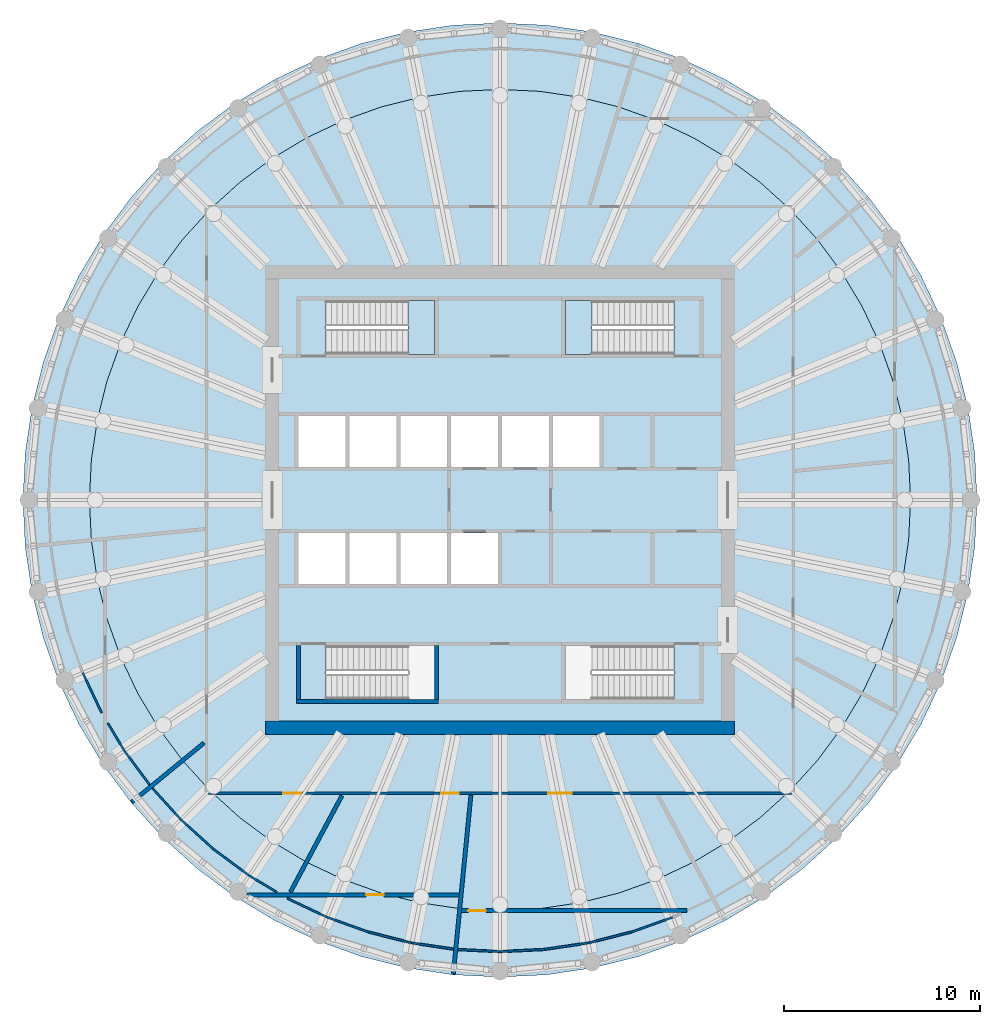
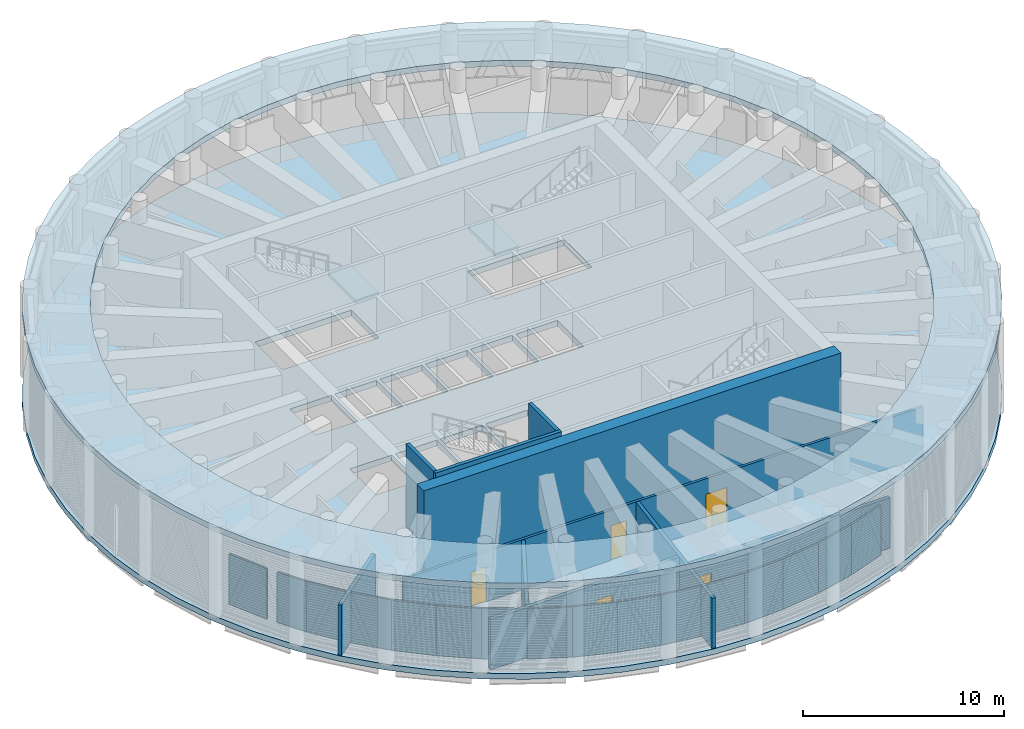
# One storey, part 5 of 19: 26 walls, 5 doors, 4 slabs, 5 openings, 2 elements without a shape of their own.
"""IFC4 building model written with IfcOpenShell, lengths in metres."""

import ifcopenshell
import ifcopenshell.guid

model = None  # the IFC model being written
_history = None  # IfcOwnerHistory: only IFC2X3 demands one
_inside = {}  # id of a spatial element -> (the spatial element, [elements in it])
_under = {}  # id of a project, library or spatial element -> (it, [spatial elements below it])
_declared = {}  # id of a project -> (the project, [libraries it declares])
_typed = {}  # id of a type object -> (the type object, [elements of that type])
_made_of = {}  # id of a material, layer set ... -> (it, [elements and type objects made of it])


def new_model(schema):
    """Start an empty IFC model of exactly this schema.

    Asked for "IFC4X3", IfcOpenShell would pick the latest addendum, in which some entities
    have other attributes; the version numbers below select the first issue.
    IFC2X3 requires an IfcOwnerHistory on every rooted entity: one is made here for all.
    """
    global model, _history
    if schema == "IFC4X3":
        model = ifcopenshell.file(schema_version=(4, 3, 0, 0))
    else:
        model = ifcopenshell.file(schema=schema)
    _inside.clear()
    _under.clear()
    _declared.clear()
    _typed.clear()
    _made_of.clear()
    _history = None
    if model.schema == "IFC2X3":
        org = make("IfcOrganization", Name="unknown")
        user = make(
            "IfcPersonAndOrganization",
            ThePerson=make("IfcPerson", FamilyName="unknown"),
            TheOrganization=org,
        )
        app = make(
            "IfcApplication",
            ApplicationDeveloper=org,
            Version="unknown",
            ApplicationFullName="unknown",
            ApplicationIdentifier="unknown",
        )
        _history = make(
            "IfcOwnerHistory",
            OwningUser=user,
            OwningApplication=app,
            ChangeAction="ADDED",
            CreationDate=0,
        )
    return model


def make(cls, **values):
    """One entity of the class cls with the attributes given. An attribute that is None is left unset."""
    return model.create_entity(
        cls, **{name: value for name, value in values.items() if value is not None}
    )


def rooted(cls, **values):
    """An entity with a GlobalId (a new one), such as an element, a storey or a relation."""
    return make(cls, GlobalId=ifcopenshell.guid.new(), OwnerHistory=_history, **values)


def si_unit(unit_type, name, prefix=None):
    """IfcSIUnit, for example si_unit("LENGTHUNIT", "METRE", prefix="MILLI")."""
    return make("IfcSIUnit", UnitType=unit_type, Prefix=prefix, Name=name)


def assignment(units):
    """IfcUnitAssignment: the units of a project."""
    return None if units is None else make("IfcUnitAssignment", Units=units)


def point(xyz):
    """IfcCartesianPoint."""
    return None if xyz is None else make("IfcCartesianPoint", Coordinates=xyz)


def direction(xyz):
    """IfcDirection."""
    return None if xyz is None else make("IfcDirection", DirectionRatios=xyz)


def frame(location, z_axis=None, x_axis=None):
    """IfcAxis2Placement3D, a coordinate frame: its origin and axes. An axis left out is left unset."""
    return make(
        "IfcAxis2Placement3D",
        Location=point(location),
        Axis=direction(z_axis),
        RefDirection=direction(x_axis),
    )


def frame_2d(location, x_axis=None):
    """IfcAxis2Placement2D, a coordinate frame in the plane: its origin and x axis."""
    return make(
        "IfcAxis2Placement2D", Location=point(location), RefDirection=direction(x_axis)
    )


def origin():
    """The frame at (0, 0, 0) with its axes left unset."""
    return frame((0.0, 0.0, 0.0))


def place(relative_to, where):
    """IfcLocalPlacement: puts the frame where relative to a parent placement (None: the world)."""
    return make(
        "IfcLocalPlacement", PlacementRelTo=relative_to, RelativePlacement=where
    )


def context(
    kind, dimensions, precision=None, world=None, true_north=None, identifier=None
):
    """IfcGeometricRepresentationContext, for example the 3D "Model" context."""
    return make(
        "IfcGeometricRepresentationContext",
        ContextIdentifier=identifier,
        ContextType=kind,
        CoordinateSpaceDimension=dimensions,
        Precision=precision,
        WorldCoordinateSystem=world,
        TrueNorth=true_north,
    )


def subcontext(parent, identifier, kind, view, scale=None):
    """IfcGeometricRepresentationSubContext, for example "Body" below "Model"."""
    return make(
        "IfcGeometricRepresentationSubContext",
        ContextIdentifier=identifier,
        ContextType=kind,
        ParentContext=parent,
        TargetScale=scale,
        TargetView=view,
    )


def project(units=None, contexts=None):
    """IfcProject with its units and contexts."""
    return rooted(
        "IfcProject",
        Name="project",
        RepresentationContexts=contexts,
        UnitsInContext=assignment(units),
    )


def spatial(cls, under=None, at=None, **own):
    """A site, building, storey or space (cls), placed at a placement, below another one or the project."""
    s = rooted(cls, ObjectPlacement=at, **own)
    if under is not None:
        _under.setdefault(under.id(), (under, []))[1].append(s)
    return s


def polyline(points):
    """IfcPolyline through the points."""
    return make("IfcPolyline", Points=[point(p) for p in points])


def profile(cls, at=None, kind="AREA", **sizes):
    """A parametric profile (cls). Its sizes go by their IFC names, for example OverallWidth=200.0."""
    return make(cls, ProfileType=kind, Position=at, **sizes)


def rectangle(**sizes):
    """IfcRectangleProfileDef."""
    return profile("IfcRectangleProfileDef", **sizes)


def outline(outer, holes=None, kind="AREA"):
    """IfcArbitraryClosedProfileDef: a profile drawn as a closed curve; with holes, ...WithVoids."""
    if holes is None:
        return make("IfcArbitraryClosedProfileDef", ProfileType=kind, OuterCurve=outer)
    return make(
        "IfcArbitraryProfileDefWithVoids",
        ProfileType=kind,
        OuterCurve=outer,
        InnerCurves=holes,
    )


def extrude(swept, where, along, depth):
    """IfcExtrudedAreaSolid: the profile swept, set in the frame where, extruded along a direction by depth."""
    return make(
        "IfcExtrudedAreaSolid",
        SweptArea=swept,
        Position=where,
        ExtrudedDirection=direction(along),
        Depth=depth,
    )


def shape(context_of_items, identifier, shape_type, items):
    """IfcShapeRepresentation: the items that make up one representation, for example the "Body"."""
    return make(
        "IfcShapeRepresentation",
        ContextOfItems=context_of_items,
        RepresentationIdentifier=identifier,
        RepresentationType=shape_type,
        Items=items,
    )


def material(Name=None, Category=None):
    """IfcMaterial."""
    return make("IfcMaterial", Name=Name, Category=Category)


def layer(
    of_material, thickness, ventilated=None, Name=None, Category=None, Priority=None
):
    """IfcMaterialLayer: one layer of a wall or slab, of a material (None: an air gap)."""
    return make(
        "IfcMaterialLayer",
        Material=of_material,
        LayerThickness=thickness,
        IsVentilated=ventilated,
        Name=Name,
        Category=Category,
        Priority=Priority,
    )


def layer_set(layers, Name=None):
    """IfcMaterialLayerSet."""
    return make("IfcMaterialLayerSet", MaterialLayers=layers, LayerSetName=Name)


def made_of(thing, what):
    """Note that an element or type object is made of a material, layer set ...; save() writes the relation."""
    if what is not None:
        _made_of.setdefault(what.id(), (what, []))[1].append(thing)
    return thing


def type_object(cls, material=None, **own):
    """A type object (cls), such as IfcWallType, which elements share."""
    return made_of(rooted(cls, **own), material)


def element(
    cls,
    number,
    at=None,
    inside=None,
    cuts=None,
    type_object=None,
    material=None,
    context=None,
    identifier="Body",
    shape_type=None,
    held_by="IfcProductDefinitionShape",
    body=None,
    shapes=None,
    **own,
):
    """One element of the class cls, such as IfcWall. Its Tag is "e" and its number.

    at: its placement. inside: the storey or other place that contains it. cuts: it is an
    opening in that element (IfcRelVoidsElement). A single representation is given by context,
    identifier, shape_type and body (its items); several are given by shapes. held_by: the class
    of the entity that holds the representations. save() writes the other relations.
    """
    e = rooted(cls, Tag="e%d" % number, ObjectPlacement=at, **own)
    if body is not None:
        shapes = [shape(context, identifier, shape_type, body)]
    if shapes is not None:
        e.Representation = make(held_by, Representations=shapes)
    if inside is not None:
        _inside.setdefault(inside.id(), (inside, []))[1].append(e)
    if cuts is not None:
        rooted(
            "IfcRelVoidsElement", RelatingBuildingElement=cuts, RelatedOpeningElement=e
        )
    if type_object is not None:
        _typed.setdefault(type_object.id(), (type_object, []))[1].append(e)
    return made_of(e, material)


def fill(opening, filler):
    """IfcRelFillsElement: the door or window that sits in an opening."""
    return rooted(
        "IfcRelFillsElement",
        RelatingOpeningElement=opening,
        RelatedBuildingElement=filler,
    )


def aggregate(whole, parts):
    """IfcRelAggregates: a whole, such as a stair, and the parts it consists of."""
    return rooted("IfcRelAggregates", RelatingObject=whole, RelatedObjects=parts)


def save(model, path):
    """Write the relations noted so far, then the file.

    IfcRelAggregates (storeys below a building ...), IfcRelContainedInSpatialStructure (elements
    in a storey), IfcRelDefinesByType, IfcRelAssociatesMaterial and IfcRelDeclares: one each for
    every whole, place, type object, material and project.
    """
    for whole, parts in _under.values():
        aggregate(whole, parts)
    for where, things in _inside.values():
        rooted(
            "IfcRelContainedInSpatialStructure",
            RelatedElements=things,
            RelatingStructure=where,
        )
    for kind, things in _typed.values():
        rooted("IfcRelDefinesByType", RelatedObjects=things, RelatingType=kind)
    for what, things in _made_of.values():
        rooted("IfcRelAssociatesMaterial", RelatedObjects=things, RelatingMaterial=what)
    for by, libraries in _declared.values():
        rooted("IfcRelDeclares", RelatingContext=by, RelatedDefinitions=libraries)
    model.write(path)


model = new_model("IFC4")

# Units and contexts
model_context = context("Model", 3, precision=1e-05, world=origin(), true_north=direction((0.0, 1.0)))
body_context = subcontext(model_context, "Body", "Model", "MODEL_VIEW")
ifc_project = project(units=[si_unit("LENGTHUNIT", "METRE"), si_unit("AREAUNIT", "SQUARE_METRE"), si_unit("VOLUMEUNIT", "CUBIC_METRE"), si_unit("PLANEANGLEUNIT", "RADIAN"), si_unit("MASSUNIT", "GRAM", prefix="KILO")], contexts=[model_context])

# Site, building, storey
site_placement = place(None, origin())
site = spatial("IfcSite", under=ifc_project, at=site_placement, CompositionType="ELEMENT")
building_placement = place(site_placement, origin())
building = spatial("IfcBuilding", under=site, at=building_placement, Name="Corvane Civic Tower", CompositionType="ELEMENT")
storey_placement = place(building_placement, frame((0.0, 0.0, 319.0)))
storey = spatial("IfcBuildingStorey", under=building, at=storey_placement, Name="L76", CompositionType="ELEMENT", Elevation=319.0)

# Slabs
ifc_material_1 = material(Name="Concrete C40/50", Category="concrete")
ifc_layer_1 = layer(ifc_material_1, 0.35009765625)
ifc_layer_set_1 = layer_set([ifc_layer_1], Name="Concrete C40/50")
slab_type_1 = type_object("IfcSlabType", Name="FLOOR SLAB 350", PredefinedType="FLOOR", material=ifc_layer_set_1)
slab_1_placement = place(storey_placement, frame((0.0, 0.0, -0.35009765625)))
element("IfcSlab", 1, at=slab_1_placement, inside=storey, type_object=slab_type_1, Name="SLB-L76", PredefinedType="FLOOR", context=body_context, shape_type="SweptSolid", body=[
    extrude(outline(polyline([(0.0, 24.39990234375), (-2.3916015625, 24.282470703125), (-4.76025390625, 23.93115234375), (-7.0830078125, 23.349365234375), (-9.33740234375, 22.542724609375), (-11.502197265625, 21.518798828125), (-13.555908203125, 20.287841796875), (-15.479248046875, 18.861572265625), (-17.25341796875, 17.25341796875), (-18.861572265625, 15.479248046875), (-20.287841796875, 13.555908203125), (-21.518798828125, 11.502197265625), (-22.542724609375, 9.33740234375), (-23.349365234375, 7.0830078125), (-23.93115234375, 4.76025390625), (-24.282470703125, 2.3916015625), (-24.39990234375, 0.0), (-24.282470703125, -2.3916015625), (-23.93115234375, -4.76025390625), (-23.349365234375, -7.0830078125), (-22.542724609375, -9.33740234375), (-21.518798828125, -11.502197265625), (-20.287841796875, -13.555908203125), (-18.861572265625, -15.479248046875), (-17.25341796875, -17.25341796875), (-15.479248046875, -18.861572265625), (-13.555908203125, -20.287841796875), (-11.502197265625, -21.518798828125), (-9.33740234375, -22.542724609375), (-7.0830078125, -23.349365234375), (-4.76025390625, -23.93115234375), (-2.3916015625, -24.282470703125), (0.0, -24.39990234375), (2.3916015625, -24.282470703125), (4.76025390625, -23.93115234375), (7.0830078125, -23.349365234375), (9.33740234375, -22.542724609375), (11.502197265625, -21.518798828125), (13.555908203125, -20.287841796875), (15.479248046875, -18.861572265625), (17.25341796875, -17.25341796875), (18.861572265625, -15.479248046875), (20.287841796875, -13.555908203125), (21.518798828125, -11.502197265625), (22.542724609375, -9.33740234375), (23.349365234375, -7.0830078125), (23.93115234375, -4.76025390625), (24.282470703125, -2.3916015625), (24.39990234375, 0.0), (24.282470703125, 2.3916015625), (23.93115234375, 4.76025390625), (23.349365234375, 7.0830078125), (22.542724609375, 9.33740234375), (21.518798828125, 11.502197265625), (20.287841796875, 13.555908203125), (18.861572265625, 15.479248046875), (17.25341796875, 17.25341796875), (15.479248046875, 18.861572265625), (13.555908203125, 20.287841796875), (11.502197265625, 21.518798828125), (9.33740234375, 22.542724609375), (7.0830078125, 23.349365234375), (4.76025390625, 23.93115234375), (2.3916015625, 24.282470703125), (0.0, 24.39990234375)]), holes=[polyline([(-7.89990234375, 1.699951171875), (-10.300048828125, 1.699951171875), (-10.300048828125, 4.300048828125), (-7.89990234375, 4.300048828125), (-7.89990234375, 1.699951171875)]), polyline([(-7.699951171875, 4.300048828125), (-5.300048828125, 4.300048828125), (-5.300048828125, 1.699951171875), (-7.699951171875, 1.699951171875), (-7.699951171875, 4.300048828125)]), polyline([(-5.10009765625, 4.300048828125), (-2.699951171875, 4.300048828125), (-2.699951171875, 1.699951171875), (-5.10009765625, 1.699951171875), (-5.10009765625, 4.300048828125)]), polyline([(-0.10009765625, 1.699951171875), (-2.5, 1.699951171875), (-2.5, 4.300048828125), (-0.10009765625, 4.300048828125), (-0.10009765625, 1.699951171875)]), polyline([(2.5, 1.699951171875), (0.10009765625, 1.699951171875), (0.10009765625, 4.300048828125), (2.5, 4.300048828125), (2.5, 1.699951171875)]), polyline([(2.699951171875, 4.300048828125), (5.10009765625, 4.300048828125), (5.10009765625, 1.699951171875), (2.699951171875, 1.699951171875), (2.699951171875, 4.300048828125)]), polyline([(-7.89990234375, -1.699951171875), (-7.89990234375, -4.300048828125), (-10.300048828125, -4.300048828125), (-10.300048828125, -1.699951171875), (-7.89990234375, -1.699951171875)]), polyline([(-5.300048828125, -1.699951171875), (-5.300048828125, -4.300048828125), (-7.699951171875, -4.300048828125), (-7.699951171875, -1.699951171875), (-5.300048828125, -1.699951171875)]), polyline([(-2.699951171875, -1.699951171875), (-2.699951171875, -4.300048828125), (-5.10009765625, -4.300048828125), (-5.10009765625, -1.699951171875), (-2.699951171875, -1.699951171875)]), polyline([(-2.5, -4.300048828125), (-2.5, -1.699951171875), (-0.10009765625, -1.699951171875), (-0.10009765625, -4.300048828125), (-2.5, -4.300048828125)]), polyline([(8.889892578125, 10.199951171875), (8.889892578125, 7.449951171875), (3.35009765625, 7.449951171875), (3.35009765625, 10.199951171875), (8.889892578125, 10.199951171875)]), polyline([(-8.889892578125, 7.449951171875), (-8.889892578125, 10.199951171875), (-3.35009765625, 10.199951171875), (-3.35009765625, 7.449951171875), (-8.889892578125, 7.449951171875)]), polyline([(8.889892578125, -7.449951171875), (8.889892578125, -10.199951171875), (3.35009765625, -10.199951171875), (3.35009765625, -7.449951171875), (8.889892578125, -7.449951171875)]), polyline([(-8.889892578125, -10.199951171875), (-8.889892578125, -7.449951171875), (-3.35009765625, -7.449951171875), (-3.35009765625, -10.199951171875), (-8.889892578125, -10.199951171875)])]), origin(), (0.0, 0.0, 1.0), 0.35009765625),
])
ifc_material_2 = material(Name="Concrete C40/50", Category="concrete")
ifc_layer_2 = layer(ifc_material_2, 0.35009765625)
ifc_layer_set_2 = layer_set([ifc_layer_2], Name="Concrete C40/50")
slab_type_2 = type_object("IfcSlabType", Name="SETBACK ROOF SLAB 350", PredefinedType="ROOF", material=ifc_layer_set_2)
slab_2_placement = place(storey_placement, frame((0.0, 0.0, 5.14990234375)))
element("IfcSlab", 2, at=slab_2_placement, inside=storey, type_object=slab_type_2, Name="SLB-L76-roof", PredefinedType="ROOF", context=body_context, shape_type="SweptSolid", body=[
    extrude(outline(polyline([(0.0, 24.39990234375), (-2.3916015625, 24.282470703125), (-4.76025390625, 23.93115234375), (-7.0830078125, 23.349365234375), (-9.33740234375, 22.542724609375), (-11.502197265625, 21.518798828125), (-13.555908203125, 20.287841796875), (-15.479248046875, 18.861572265625), (-17.25341796875, 17.25341796875), (-18.861572265625, 15.479248046875), (-20.287841796875, 13.555908203125), (-21.518798828125, 11.502197265625), (-22.542724609375, 9.33740234375), (-23.349365234375, 7.0830078125), (-23.93115234375, 4.76025390625), (-24.282470703125, 2.3916015625), (-24.39990234375, 0.0), (-24.282470703125, -2.3916015625), (-23.93115234375, -4.76025390625), (-23.349365234375, -7.0830078125), (-22.542724609375, -9.33740234375), (-21.518798828125, -11.502197265625), (-20.287841796875, -13.555908203125), (-18.861572265625, -15.479248046875), (-17.25341796875, -17.25341796875), (-15.479248046875, -18.861572265625), (-13.555908203125, -20.287841796875), (-11.502197265625, -21.518798828125), (-9.33740234375, -22.542724609375), (-7.0830078125, -23.349365234375), (-4.76025390625, -23.93115234375), (-2.3916015625, -24.282470703125), (0.0, -24.39990234375), (2.3916015625, -24.282470703125), (4.76025390625, -23.93115234375), (7.0830078125, -23.349365234375), (9.33740234375, -22.542724609375), (11.502197265625, -21.518798828125), (13.555908203125, -20.287841796875), (15.479248046875, -18.861572265625), (17.25341796875, -17.25341796875), (18.861572265625, -15.479248046875), (20.287841796875, -13.555908203125), (21.518798828125, -11.502197265625), (22.542724609375, -9.33740234375), (23.349365234375, -7.0830078125), (23.93115234375, -4.76025390625), (24.282470703125, -2.3916015625), (24.39990234375, 0.0), (24.282470703125, 2.3916015625), (23.93115234375, 4.76025390625), (23.349365234375, 7.0830078125), (22.542724609375, 9.33740234375), (21.518798828125, 11.502197265625), (20.287841796875, 13.555908203125), (18.861572265625, 15.479248046875), (17.25341796875, 17.25341796875), (15.479248046875, 18.861572265625), (13.555908203125, 20.287841796875), (11.502197265625, 21.518798828125), (9.33740234375, 22.542724609375), (7.0830078125, 23.349365234375), (4.76025390625, 23.93115234375), (2.3916015625, 24.282470703125), (0.0, 24.39990234375)]), holes=[polyline([(0.0, 21.0), (-2.058349609375, 20.89892578125), (-4.096923828125, 20.596435546875), (-6.095947265625, 20.095703125), (-8.036376953125, 19.4013671875), (-9.8994140625, 18.520263671875), (-11.6669921875, 17.4609375), (-13.322265625, 16.233154296875), (-14.84912109375, 14.84912109375), (-16.233154296875, 13.322265625), (-17.4609375, 11.6669921875), (-18.520263671875, 9.8994140625), (-19.4013671875, 8.036376953125), (-20.095703125, 6.095947265625), (-20.596435546875, 4.096923828125), (-20.89892578125, 2.058349609375), (-21.0, 0.0), (-20.89892578125, -2.058349609375), (-20.596435546875, -4.096923828125), (-20.095703125, -6.095947265625), (-19.4013671875, -8.036376953125), (-18.520263671875, -9.8994140625), (-17.4609375, -11.6669921875), (-16.233154296875, -13.322265625), (-14.84912109375, -14.84912109375), (-13.322265625, -16.233154296875), (-11.6669921875, -17.4609375), (-9.8994140625, -18.520263671875), (-8.036376953125, -19.4013671875), (-6.095947265625, -20.095703125), (-4.096923828125, -20.596435546875), (-2.058349609375, -20.89892578125), (0.0, -21.0), (2.058349609375, -20.89892578125), (4.096923828125, -20.596435546875), (6.095947265625, -20.095703125), (8.036376953125, -19.4013671875), (9.8994140625, -18.520263671875), (11.6669921875, -17.4609375), (13.322265625, -16.233154296875), (14.84912109375, -14.84912109375), (16.233154296875, -13.322265625), (17.4609375, -11.6669921875), (18.520263671875, -9.8994140625), (19.4013671875, -8.036376953125), (20.095703125, -6.095947265625), (20.596435546875, -4.096923828125), (20.89892578125, -2.058349609375), (21.0, 0.0), (20.89892578125, 2.058349609375), (20.596435546875, 4.096923828125), (20.095703125, 6.095947265625), (19.4013671875, 8.036376953125), (18.520263671875, 9.8994140625), (17.4609375, 11.6669921875), (16.233154296875, 13.322265625), (14.84912109375, 14.84912109375), (13.322265625, 16.233154296875), (11.6669921875, 17.4609375), (9.8994140625, 18.520263671875), (8.036376953125, 19.4013671875), (6.095947265625, 20.095703125), (4.096923828125, 20.596435546875), (2.058349609375, 20.89892578125), (0.0, 21.0)])]), origin(), (0.0, 0.0, 1.0), 0.35009765625),
])

# Stair, slab
ifc_material_3 = material(Name="Concrete C40/50", Category="concrete")
stair_type = type_object("IfcStairType", Name="ST-STAIR-HALFTURN", PredefinedType="HALF_TURN_STAIR", material=ifc_material_3)
stair_1_placement = place(storey_placement, origin())
stair_1 = element("IfcStair", 3, at=stair_1_placement, inside=storey, type_object=stair_type, Name="L76 Exit stair ST1", PredefinedType="HALF_TURN_STAIR")
ifc_material_4 = material(Name="Concrete C40/50", Category="concrete")
ifc_layer_3 = layer(ifc_material_4, 0.199951171875)
ifc_layer_set_3 = layer_set([ifc_layer_3], Name="Concrete C40/50")
slab_type_3 = type_object("IfcSlabType", Name="ST-LANDING-RC", PredefinedType="LANDING", material=ifc_layer_set_3)
slab_3_placement = place(storey_placement, frame((0.0, 0.0, 2.550048828125)))
slab_3 = element("IfcSlab", 4, at=slab_3_placement, type_object=slab_type_3, Name="ST1 landing 1", PredefinedType="LANDING", context=body_context, shape_type="SweptSolid", body=[
    extrude(outline(polyline([(4.699951171875, 10.199951171875), (3.35009765625, 10.199951171875), (3.35009765625, 7.449951171875), (4.699951171875, 7.449951171875), (4.699951171875, 10.199951171875)])), origin(), (0.0, 0.0, 1.0), 0.199951171875),
])
aggregate(stair_1, [slab_3])

stair_2_placement = place(storey_placement, origin())
stair_2 = element("IfcStair", 5, at=stair_2_placement, inside=storey, type_object=stair_type, Name="L76 Exit stair ST4", PredefinedType="HALF_TURN_STAIR")
slab_4_placement = place(storey_placement, frame((0.0, 0.0, 2.550048828125)))
slab_4 = element("IfcSlab", 6, at=slab_4_placement, type_object=slab_type_3, Name="ST4 landing 1", PredefinedType="LANDING", context=body_context, shape_type="SweptSolid", body=[
    extrude(outline(polyline([(-4.699951171875, 7.449951171875), (-3.35009765625, 7.449951171875), (-3.35009765625, 10.199951171875), (-4.699951171875, 10.199951171875), (-4.699951171875, 7.449951171875)])), origin(), (0.0, 0.0, 1.0), 0.199951171875),
])
aggregate(stair_2, [slab_4])

# Walls
ifc_material_5 = material(Name="Concrete C40/50", Category="concrete")
ifc_layer_4 = layer(ifc_material_5, 0.699951171875)
ifc_layer_set_4 = layer_set([ifc_layer_4], Name="Concrete C40/50")
wall_type_1 = type_object("IfcWallType", Name="CORE WALL 700 C40/50", PredefinedType="SHEAR", material=ifc_layer_set_4)
wall_1_placement = place(storey_placement, frame((-12.0, -11.64990234375, 0.0), z_axis=(0.0, 0.0, 1.0), x_axis=(1.0, 0.0, 0.0)))
element("IfcWall", 7, at=wall_1_placement, inside=storey, type_object=wall_type_1, Name="W-L76-core-S", PredefinedType="SHEAR", context=body_context, shape_type="SweptSolid", body=[
    extrude(rectangle(XDim=24.0, YDim=0.699951171875, at=frame_2d((12.0, 0.0))), origin(), (0.0, 0.0, 1.0), 5.5),
])
ifc_material_6 = material(Name="Plasterboard")
ifc_layer_5 = layer(ifc_material_6, 0.10009765625)
ifc_layer_set_5 = layer_set([ifc_layer_5], Name="Plasterboard")
wall_type_2 = type_object("IfcWallType", Name="Partition 100 plasterboard on studs", PredefinedType="PARTITIONING", material=ifc_layer_set_5)
wall_2_placement = place(storey_placement, frame((-21.340576171875, -8.83935546875, 0.0), z_axis=(0.0, 0.0, 1.0), x_axis=(0.427637258426, -0.903950427405, 0.0)))
element("IfcWall", 8, at=wall_2_placement, inside=storey, type_object=wall_type_2, Name="Partition L76.028", PredefinedType="PARTITIONING", context=body_context, shape_type="SweptSolid", body=[
    extrude(rectangle(XDim=2.26708984375, YDim=0.10009765625, at=frame_2d((1.133544921875, 0.0))), origin(), (0.0, 0.0, 1.0), 3.050048828125),
])
wall_3_placement = place(storey_placement, frame((-20.06005859375, -11.407958984375, 0.0), z_axis=(0.0, 0.0, 1.0), x_axis=(0.514041857698, -0.857765101024, 0.0)))
element("IfcWall", 9, at=wall_3_placement, inside=storey, type_object=wall_type_2, Name="Partition L76.030", PredefinedType="PARTITIONING", context=body_context, shape_type="SweptSolid", body=[
    extrude(rectangle(XDim=1.661376953125, YDim=0.10009765625, at=frame_2d((0.83056640625, 0.0))), origin(), (0.0, 0.0, 1.0), 3.050048828125),
])
wall_4_placement = place(storey_placement, frame((-19.2060546875, -12.8330078125, 0.0), z_axis=(0.0, 0.0, 1.0), x_axis=(0.595729877063, -0.803184856415, 0.0)))
element("IfcWall", 10, at=wall_4_placement, inside=storey, type_object=wall_type_2, Name="Partition L76.032", PredefinedType="PARTITIONING", context=body_context, shape_type="SweptSolid", body=[
    extrude(rectangle(XDim=2.12646484375, YDim=0.10009765625, at=frame_2d((1.063232421875, 0.0))), origin(), (0.0, 0.0, 1.0), 3.050048828125),
])
wall_5_placement = place(storey_placement, frame((-17.761474609375, -14.757568359375, 0.0), z_axis=(0.0, 0.0, 1.0), x_axis=(0.67158639443, -0.740926254641, 0.0)))
element("IfcWall", 11, at=wall_5_placement, inside=storey, type_object=wall_type_2, Name="Partition L76.034", PredefinedType="PARTITIONING", context=body_context, shape_type="SweptSolid", body=[
    extrude(rectangle(XDim=2.126708984375, YDim=0.10009765625, at=frame_2d((1.0634765625, 0.0))), origin(), (0.0, 0.0, 1.0), 3.050048828125),
])
wall_6_placement = place(storey_placement, frame((-16.333251953125, -16.333251953125, 0.0), z_axis=(0.0, 0.0, 1.0), x_axis=(0.740933362026, -0.671578553139, 0.0)))
element("IfcWall", 12, at=wall_6_placement, inside=storey, type_object=wall_type_2, Name="Partition L76.036", PredefinedType="PARTITIONING", context=body_context, shape_type="SweptSolid", body=[
    extrude(rectangle(XDim=2.26708984375, YDim=0.10009765625, at=frame_2d((1.133544921875, 0.0))), origin(), (0.0, 0.0, 1.0), 3.050048828125),
])
wall_7_placement = place(storey_placement, frame((-14.653564453125, -17.855712890625, 0.0), z_axis=(0.0, 0.0, 1.0), x_axis=(0.803181151022, -0.595734872778, 0.0)))
element("IfcWall", 13, at=wall_7_placement, inside=storey, type_object=wall_type_2, Name="Partition L76.038", PredefinedType="PARTITIONING", context=body_context, shape_type="SweptSolid", body=[
    extrude(rectangle(XDim=2.2666015625, YDim=0.10009765625, at=frame_2d((1.13330078125, 0.0))), origin(), (0.0, 0.0, 1.0), 3.050048828125),
])
wall_8_placement = place(storey_placement, frame((-12.8330078125, -19.2060546875, 0.0), z_axis=(0.0, 0.0, 1.0), x_axis=(0.857765101024, -0.514041857698, 0.0)))
element("IfcWall", 14, at=wall_8_placement, inside=storey, type_object=wall_type_2, Name="Partition L76.041", PredefinedType="PARTITIONING", context=body_context, shape_type="SweptSolid", body=[
    extrude(rectangle(XDim=1.661376953125, YDim=0.10009765625, at=frame_2d((0.83056640625, 0.0))), origin(), (0.0, 0.0, 1.0), 3.050048828125),
])
wall_9_placement = place(storey_placement, frame((-10.888671875, -20.37109375, 0.0), z_axis=(0.0, 0.0, 1.0), x_axis=(0.903950427405, -0.427637258426, 0.0)))
element("IfcWall", 15, at=wall_9_placement, inside=storey, type_object=wall_type_2, Name="Partition L76.044", PredefinedType="PARTITIONING", context=body_context, shape_type="SweptSolid", body=[
    extrude(rectangle(XDim=2.26708984375, YDim=0.10009765625, at=frame_2d((1.133544921875, 0.0))), origin(), (0.0, 0.0, 1.0), 3.050048828125),
])
wall_10_placement = place(storey_placement, frame((-8.83935546875, -21.340576171875, 0.0), z_axis=(0.0, 0.0, 1.0), x_axis=(0.941576093962, -0.336800325534, 0.0)))
element("IfcWall", 16, at=wall_10_placement, inside=storey, type_object=wall_type_2, Name="Partition L76.046", PredefinedType="PARTITIONING", context=body_context, shape_type="SweptSolid", body=[
    extrude(rectangle(XDim=2.2666015625, YDim=0.10009765625, at=frame_2d((1.13330078125, 0.0))), origin(), (0.0, 0.0, 1.0), 3.050048828125),
])
wall_11_placement = place(storey_placement, frame((-6.705078125, -22.10400390625, 0.0), z_axis=(0.0, 0.0, 1.0), x_axis=(0.970002955311, -0.243093123489, 0.0)))
element("IfcWall", 17, at=wall_11_placement, inside=storey, type_object=wall_type_2, Name="Partition L76.049", PredefinedType="PARTITIONING", context=body_context, shape_type="SweptSolid", body=[
    extrude(rectangle(XDim=2.266845703125, YDim=0.10009765625, at=frame_2d((1.13330078125, 0.0))), origin(), (0.0, 0.0, 1.0), 3.050048828125),
])
wall_12_placement = place(storey_placement, frame((-4.50634765625, -22.655029296875, 0.0), z_axis=(0.0, 0.0, 1.0), x_axis=(0.9891966814, -0.146594425223, 0.0)))
element("IfcWall", 18, at=wall_12_placement, inside=storey, type_object=wall_type_2, Name="Partition L76.051", PredefinedType="PARTITIONING", context=body_context, shape_type="SweptSolid", body=[
    extrude(rectangle(XDim=2.126708984375, YDim=0.10009765625, at=frame_2d((1.0634765625, 0.0))), origin(), (0.0, 0.0, 1.0), 3.050048828125),
])
wall_13_placement = place(storey_placement, frame((-2.1240234375, -22.994384765625, 0.0), z_axis=(0.0, 0.0, 1.0), x_axis=(0.99879772591, -0.049021451605, 0.0)))
element("IfcWall", 19, at=wall_13_placement, inside=storey, type_object=wall_type_2, Name="Partition L76.053", PredefinedType="PARTITIONING", context=body_context, shape_type="SweptSolid", body=[
    extrude(rectangle(XDim=2.12646484375, YDim=0.10009765625, at=frame_2d((1.063232421875, 0.0))), origin(), (0.0, 0.0, 1.0), 3.050048828125),
])
wall_14_placement = place(storey_placement, frame((0.0, -23.0986328125, 0.0), z_axis=(0.0, 0.0, 1.0), x_axis=(0.998798633699, 0.04900295216, 0.0)))
element("IfcWall", 20, at=wall_14_placement, inside=storey, type_object=wall_type_2, Name="Partition L76.054", PredefinedType="PARTITIONING", context=body_context, shape_type="SweptSolid", body=[
    extrude(rectangle(XDim=2.266845703125, YDim=0.10009765625, at=frame_2d((1.13330078125, 0.0))), origin(), (0.0, 0.0, 1.0), 3.050048828125),
])
wall_15_placement = place(storey_placement, frame((2.26416015625, -22.987548828125, 0.0), z_axis=(0.0, 0.0, 1.0), x_axis=(0.989181476105, 0.146696991556, 0.0)))
element("IfcWall", 21, at=wall_15_placement, inside=storey, type_object=wall_type_2, Name="Partition L76.056", PredefinedType="PARTITIONING", context=body_context, shape_type="SweptSolid", body=[
    extrude(rectangle(XDim=2.2666015625, YDim=0.10009765625, at=frame_2d((1.13330078125, 0.0))), origin(), (0.0, 0.0, 1.0), 3.050048828125),
])
wall_16_placement = place(storey_placement, frame((4.50634765625, -22.655029296875, 0.0), z_axis=(0.0, 0.0, 1.0), x_axis=(0.970002955311, 0.243093123489, 0.0)))
element("IfcWall", 22, at=wall_16_placement, inside=storey, type_object=wall_type_2, Name="Partition L76.058", PredefinedType="PARTITIONING", context=body_context, shape_type="SweptSolid", body=[
    extrude(rectangle(XDim=2.266845703125, YDim=0.10009765625, at=frame_2d((1.13330078125, 0.0))), origin(), (0.0, 0.0, 1.0), 3.050048828125),
])
wall_17_placement = place(storey_placement, frame((6.705078125, -22.10400390625, 0.0), z_axis=(0.0, 0.0, 1.0), x_axis=(0.941576093962, 0.336800325534, 0.0)))
element("IfcWall", 23, at=wall_17_placement, inside=storey, type_object=wall_type_2, Name="Partition L76.060", PredefinedType="PARTITIONING", context=body_context, shape_type="SweptSolid", body=[
    extrude(rectangle(XDim=2.2666015625, YDim=0.10009765625, at=frame_2d((1.13330078125, 0.0))), origin(), (0.0, 0.0, 1.0), 3.050048828125),
])
ifc_material_7 = material(Name="Gypsum fibreboard")
ifc_layer_6 = layer(ifc_material_7, 0.199951171875)
ifc_layer_set_6 = layer_set([ifc_layer_6], Name="Gypsum fibreboard")
wall_type_3 = type_object("IfcWallType", Name="Plant and refuge wall 200 EI 120", PredefinedType="PARTITIONING", material=ifc_layer_set_6)
wall_18_placement = place(storey_placement, frame((-2.38671875, -24.23291015625, 0.0), z_axis=(0.0, 0.0, 1.0), x_axis=(0.098028414702, 0.995183616179, 0.0)))
element("IfcWall", 24, at=wall_18_placement, inside=storey, type_object=wall_type_3, Name="Partition L76.001", PredefinedType="PARTITIONING", context=body_context, shape_type="SweptSolid", body=[
    extrude(rectangle(XDim=9.1923828125, YDim=0.199951171875, at=frame_2d((4.59619140625, 0.0))), origin(), (0.0, 0.0, 1.0), 3.050048828125),
])

# Wall, opening, door
wall_19_placement = place(storey_placement, frame((-1.9580078125, -21.0, 0.0), z_axis=(0.0, 0.0, 1.0), x_axis=(1.0, 0.0, 0.0)))
wall_19 = element("IfcWall", 25, at=wall_19_placement, inside=storey, type_object=wall_type_3, Name="Partition L76.003", PredefinedType="PARTITIONING", context=body_context, shape_type="SweptSolid", body=[
    extrude(rectangle(XDim=11.517333984375, YDim=0.199951171875, at=frame_2d((5.7587890625, 0.0))), origin(), (0.0, 0.0, 1.0), 3.050048828125),
])
opening_1_placement = place(wall_19_placement, frame((0.341552734375, 0.0, 0.0)))
opening_1 = element("IfcOpeningElement", 26, at=opening_1_placement, cuts=wall_19, Name="Opening L76.001", PredefinedType="OPENING", context=body_context, shape_type="SweptSolid", body=[
    extrude(rectangle(XDim=0.89990234375, YDim=2.10009765625, at=frame_2d((0.449951171875, 1.050048828125))), frame((0.0, 0.10986328125, 0.0), z_axis=(0.0, -1.0, 0.0), x_axis=(1.0, 0.0, 0.0)), (0.0, 0.0, 1.0), 0.219970703125),
])
ifc_material_8 = material(Name="Steel and timber", Category="steel")
door_type_1 = type_object("IfcDoorType", Name="Fire door FD30S 900", OperationType="NOTDEFINED", PredefinedType="DOOR", material=ifc_material_8)
door_1_placement = place(opening_1_placement, frame((0.89990234375, 0.0, 0.0), z_axis=(0.0, 0.0, 1.0), x_axis=(-1.0, 0.0, 0.0)))
door_1 = element("IfcDoor", 27, at=door_1_placement, inside=storey, type_object=door_type_1, Name="Door L76.001", OperationType="SINGLE_SWING_LEFT", OverallHeight=2.10009765625, OverallWidth=0.89990234375, PredefinedType="DOOR", context=body_context, shape_type="SweptSolid", body=[
    extrude(rectangle(XDim=0.89990234375, YDim=2.10009765625, at=frame_2d((0.449951171875, 1.050048828125))), frame((0.0, 0.02490234375, 0.0), z_axis=(0.0, -1.0, 0.0), x_axis=(1.0, 0.0, 0.0)), (0.0, 0.0, 1.0), 0.050048828125),
])
fill(opening_1, door_1)

wall_20_placement = place(storey_placement, frame((-12.948486328125, -20.199951171875, 0.0), z_axis=(0.0, 0.0, 1.0), x_axis=(1.0, 0.0, 0.0)))
wall_20 = element("IfcWall", 28, at=wall_20_placement, inside=storey, type_object=wall_type_3, Name="Partition L76.004", PredefinedType="PARTITIONING", context=body_context, shape_type="SweptSolid", body=[
    extrude(rectangle(XDim=10.8486328125, YDim=0.199951171875, at=frame_2d((5.42431640625, 0.0))), origin(), (0.0, 0.0, 1.0), 3.050048828125),
])
opening_2_placement = place(wall_20_placement, frame((6.10498046875, 0.0, 0.0)))
opening_2 = element("IfcOpeningElement", 29, at=opening_2_placement, cuts=wall_20, Name="Opening L76.004", PredefinedType="OPENING", context=body_context, shape_type="SweptSolid", body=[
    extrude(rectangle(XDim=0.89990234375, YDim=2.10009765625, at=frame_2d((0.449951171875, 1.050048828125))), frame((0.0, 0.10986328125, 0.0), z_axis=(0.0, -1.0, 0.0), x_axis=(1.0, 0.0, 0.0)), (0.0, 0.0, 1.0), 0.219970703125),
])
door_2_placement = place(opening_2_placement, frame((0.89990234375, 0.0, 0.0), z_axis=(0.0, 0.0, 1.0), x_axis=(-1.0, 0.0, 0.0)))
door_2 = element("IfcDoor", 30, at=door_2_placement, inside=storey, type_object=door_type_1, Name="Door L76.004", OperationType="SINGLE_SWING_LEFT", OverallHeight=2.10009765625, OverallWidth=0.89990234375, PredefinedType="DOOR", context=body_context, shape_type="SweptSolid", body=[
    extrude(rectangle(XDim=0.89990234375, YDim=2.10009765625, at=frame_2d((0.449951171875, 1.050048828125))), frame((0.0, 0.02490234375, 0.0), z_axis=(0.0, -1.0, 0.0), x_axis=(1.0, 0.0, 0.0)), (0.0, 0.0, 1.0), 0.050048828125),
])
fill(opening_2, door_2)

# Walls
wall_21_placement = place(storey_placement, frame((-10.718505859375, -20.052978515625, 0.0), z_axis=(0.0, 0.0, 1.0), x_axis=(0.471379027939, 0.881930729717, 0.0)))
element("IfcWall", 31, at=wall_21_placement, inside=storey, type_object=wall_type_3, Name="Partition L76.005", PredefinedType="PARTITIONING", context=body_context, shape_type="SweptSolid", body=[
    extrude(rectangle(XDim=5.591064453125, YDim=0.199951171875, at=frame_2d((2.79541015625, 0.0))), origin(), (0.0, 0.0, 1.0), 3.050048828125),
])
wall_22_placement = place(storey_placement, frame((-18.822998046875, -15.447509765625, 0.0), z_axis=(0.0, 0.0, 1.0), x_axis=(0.773027641889, 0.634372339305, 0.0)))
element("IfcWall", 32, at=wall_22_placement, inside=storey, type_object=wall_type_3, Name="Partition L76.006", PredefinedType="PARTITIONING", context=body_context, shape_type="SweptSolid", body=[
    extrude(rectangle(XDim=4.766357421875, YDim=0.199951171875, at=frame_2d((2.38330078125, 0.0))), origin(), (0.0, 0.0, 1.0), 3.050048828125),
])
ifc_material_9 = material(Name="Concrete C50/60", Category="concrete")
ifc_layer_7 = layer(ifc_material_9, 0.199951171875)
ifc_layer_set_7 = layer_set([ifc_layer_7], Name="Concrete C50/60")
wall_type_4 = type_object("IfcWallType", Name="ST-WALL-200", PredefinedType="SHEAR", material=ifc_layer_set_7)
wall_23_placement = place(storey_placement, origin())
element("IfcWall", 33, at=wall_23_placement, inside=storey, type_object=wall_type_4, Name="L76 stair enclosure wall", PredefinedType="SHEAR", context=body_context, shape_type="SweptSolid", body=[
    extrude(outline(polyline([(-3.14990234375, -10.199951171875), (-3.14990234375, -10.39990234375), (-10.39990234375, -10.39990234375), (-10.39990234375, -10.199951171875), (-3.14990234375, -10.199951171875)])), origin(), (0.0, 0.0, 1.0), 5.050048828125),
])
wall_24_placement = place(storey_placement, origin())
element("IfcWall", 34, at=wall_24_placement, inside=storey, type_object=wall_type_4, Name="L76 stair enclosure wall", PredefinedType="SHEAR", context=body_context, shape_type="SweptSolid", body=[
    extrude(outline(polyline([(-3.14990234375, -7.449951171875), (-3.14990234375, -10.199951171875), (-3.35009765625, -10.199951171875), (-3.35009765625, -7.449951171875), (-3.14990234375, -7.449951171875)])), origin(), (0.0, 0.0, 1.0), 5.050048828125),
])
wall_25_placement = place(storey_placement, origin())
element("IfcWall", 35, at=wall_25_placement, inside=storey, type_object=wall_type_4, Name="L76 stair enclosure wall", PredefinedType="SHEAR", context=body_context, shape_type="SweptSolid", body=[
    extrude(outline(polyline([(-10.199951171875, -7.449951171875), (-10.199951171875, -10.199951171875), (-10.39990234375, -10.199951171875), (-10.39990234375, -7.449951171875), (-10.199951171875, -7.449951171875)])), origin(), (0.0, 0.0, 1.0), 5.050048828125),
])

# Wall, openings, doors
ifc_material_10 = material(Name="Plasterboard")
ifc_layer_8 = layer(ifc_material_10, 0.14990234375)
ifc_layer_set_8 = layer_set([ifc_layer_8], Name="Plasterboard")
wall_type_5 = type_object("IfcWallType", Name="Tenancy wall 150 EI 60", PredefinedType="PARTITIONING", material=ifc_layer_set_8)
wall_26_placement = place(storey_placement, frame((-14.925048828125, -15.0, 0.0), z_axis=(0.0, 0.0, 1.0), x_axis=(1.0, 0.0, 0.0)))
wall_26 = element("IfcWall", 36, at=wall_26_placement, inside=storey, type_object=wall_type_5, Name="Partition L76.007", PredefinedType="PARTITIONING", context=body_context, shape_type="SweptSolid", body=[
    extrude(rectangle(XDim=29.85009765625, YDim=0.14990234375, at=frame_2d((14.925048828125, 0.0))), origin(), (0.0, 0.0, 1.0), 3.050048828125),
])
opening_3_placement = place(wall_26_placement, frame((17.387451171875, 0.0, 0.0)))
opening_3 = element("IfcOpeningElement", 37, at=opening_3_placement, cuts=wall_26, Name="Opening L76.003", PredefinedType="OPENING", context=body_context, shape_type="SweptSolid", body=[
    extrude(rectangle(XDim=1.199951171875, YDim=2.10009765625, at=frame_2d((0.60009765625, 1.050048828125))), frame((0.0, 0.0849609375, 0.0), z_axis=(0.0, -1.0, 0.0), x_axis=(1.0, 0.0, 0.0)), (0.0, 0.0, 1.0), 0.169921875),
])
opening_4_placement = place(wall_26_placement, frame((11.908447265625, 0.0, 0.0)))
opening_4 = element("IfcOpeningElement", 38, at=opening_4_placement, cuts=wall_26, Name="Opening L76.005", PredefinedType="OPENING", context=body_context, shape_type="SweptSolid", body=[
    extrude(rectangle(XDim=0.89990234375, YDim=2.10009765625, at=frame_2d((0.449951171875, 1.050048828125))), frame((0.0, 0.0849609375, 0.0), z_axis=(0.0, -1.0, 0.0), x_axis=(1.0, 0.0, 0.0)), (0.0, 0.0, 1.0), 0.169921875),
])
opening_5_placement = place(wall_26_placement, frame((3.849853515625, 0.0, 0.0)))
opening_5 = element("IfcOpeningElement", 39, at=opening_5_placement, cuts=wall_26, Name="Opening L76.006", PredefinedType="OPENING", context=body_context, shape_type="SweptSolid", body=[
    extrude(rectangle(XDim=0.89990234375, YDim=2.10009765625, at=frame_2d((0.449951171875, 1.050048828125))), frame((0.0, 0.0849609375, 0.0), z_axis=(0.0, -1.0, 0.0), x_axis=(1.0, 0.0, 0.0)), (0.0, 0.0, 1.0), 0.169921875),
])
door_3_placement = place(opening_4_placement, frame((0.89990234375, 0.0, 0.0), z_axis=(0.0, 0.0, 1.0), x_axis=(-1.0, 0.0, 0.0)))
door_3 = element("IfcDoor", 40, at=door_3_placement, inside=storey, type_object=door_type_1, Name="Door L76.005", OperationType="SINGLE_SWING_RIGHT", OverallHeight=2.10009765625, OverallWidth=0.89990234375, PredefinedType="DOOR", context=body_context, shape_type="SweptSolid", body=[
    extrude(rectangle(XDim=0.89990234375, YDim=2.10009765625, at=frame_2d((0.449951171875, 1.050048828125))), frame((0.0, 0.02490234375, 0.0), z_axis=(0.0, -1.0, 0.0), x_axis=(1.0, 0.0, 0.0)), (0.0, 0.0, 1.0), 0.050048828125),
])
fill(opening_4, door_3)
door_4_placement = place(opening_5_placement, frame((0.89990234375, 0.0, 0.0), z_axis=(0.0, 0.0, 1.0), x_axis=(-1.0, 0.0, 0.0)))
door_4 = element("IfcDoor", 41, at=door_4_placement, inside=storey, type_object=door_type_1, Name="Door L76.006", OperationType="SINGLE_SWING_LEFT", OverallHeight=2.10009765625, OverallWidth=0.89990234375, PredefinedType="DOOR", context=body_context, shape_type="SweptSolid", body=[
    extrude(rectangle(XDim=0.89990234375, YDim=2.10009765625, at=frame_2d((0.449951171875, 1.050048828125))), frame((0.0, 0.02490234375, 0.0), z_axis=(0.0, -1.0, 0.0), x_axis=(1.0, 0.0, 0.0)), (0.0, 0.0, 1.0), 0.050048828125),
])
fill(opening_5, door_4)
ifc_material_11 = material(Name="Steel and timber", Category="steel")
door_type_2 = type_object("IfcDoorType", Name="Fire door FD60 1200", OperationType="NOTDEFINED", PredefinedType="DOOR", material=ifc_material_11)
door_5_placement = place(opening_3_placement, frame((1.199951171875, 0.0, 0.0), z_axis=(0.0, 0.0, 1.0), x_axis=(-1.0, 0.0, 0.0)))
door_5 = element("IfcDoor", 42, at=door_5_placement, inside=storey, type_object=door_type_2, Name="Door L76.003", OperationType="SINGLE_SWING_LEFT", OverallHeight=2.10009765625, OverallWidth=1.199951171875, PredefinedType="DOOR", context=body_context, shape_type="SweptSolid", body=[
    extrude(rectangle(XDim=1.199951171875, YDim=2.10009765625, at=frame_2d((0.60009765625, 1.050048828125))), frame((0.0, 0.02490234375, 0.0), z_axis=(0.0, -1.0, 0.0), x_axis=(1.0, 0.0, 0.0)), (0.0, 0.0, 1.0), 0.050048828125),
])
fill(opening_3, door_5)

save(model, "model.ifc")
